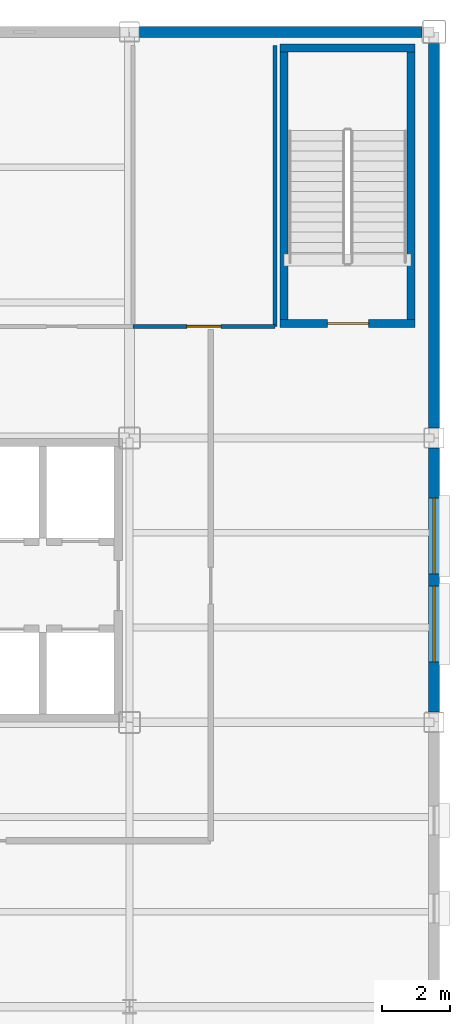
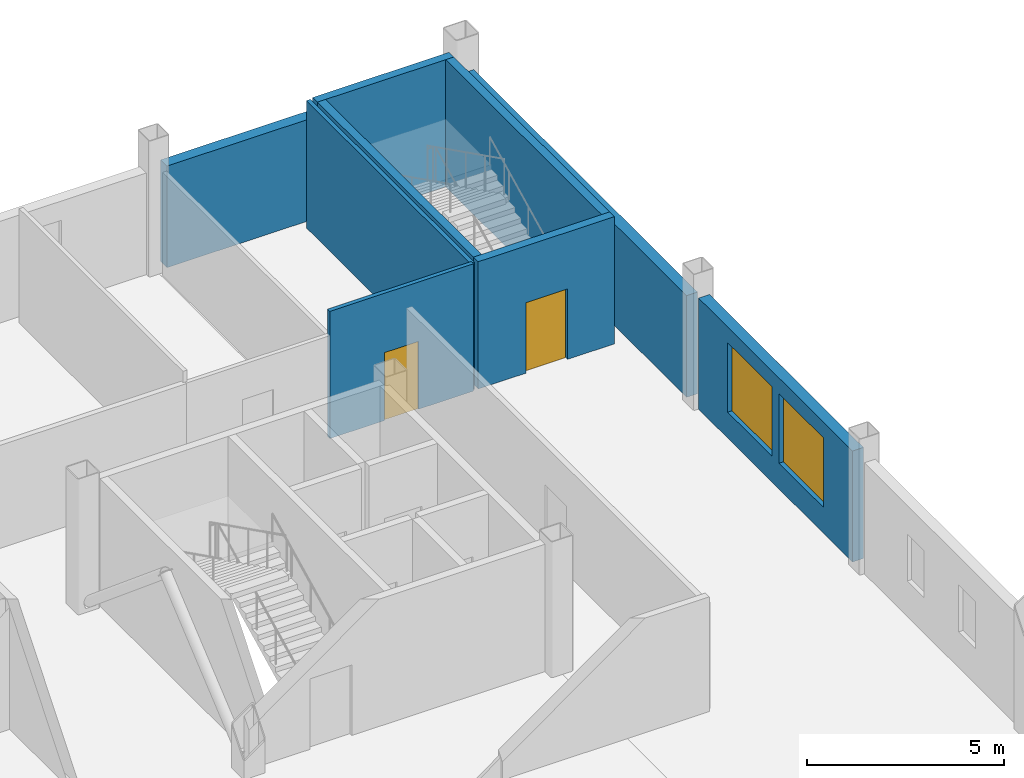
# One storey, part 40 of 45: 9 walls, 2 doors, 2 windows, 4 openings.
"""IFC4 building model written with IfcOpenShell, lengths in metres."""

import ifcopenshell
import ifcopenshell.guid

model = None  # the IFC model being written
_history = None  # IfcOwnerHistory: only IFC2X3 demands one
_inside = {}  # id of a spatial element -> (the spatial element, [elements in it])
_under = {}  # id of a project, library or spatial element -> (it, [spatial elements below it])
_declared = {}  # id of a project -> (the project, [libraries it declares])
_typed = {}  # id of a type object -> (the type object, [elements of that type])
_made_of = {}  # id of a material, layer set ... -> (it, [elements and type objects made of it])


def new_model(schema):
    """Start an empty IFC model of exactly this schema.

    Asked for "IFC4X3", IfcOpenShell would pick the latest addendum, in which some entities
    have other attributes; the version numbers below select the first issue.
    IFC2X3 requires an IfcOwnerHistory on every rooted entity: one is made here for all.
    """
    global model, _history
    if schema == "IFC4X3":
        model = ifcopenshell.file(schema_version=(4, 3, 0, 0))
    else:
        model = ifcopenshell.file(schema=schema)
    _inside.clear()
    _under.clear()
    _declared.clear()
    _typed.clear()
    _made_of.clear()
    _history = None
    if model.schema == "IFC2X3":
        org = make("IfcOrganization", Name="unknown")
        user = make(
            "IfcPersonAndOrganization",
            ThePerson=make("IfcPerson", FamilyName="unknown"),
            TheOrganization=org,
        )
        app = make(
            "IfcApplication",
            ApplicationDeveloper=org,
            Version="unknown",
            ApplicationFullName="unknown",
            ApplicationIdentifier="unknown",
        )
        _history = make(
            "IfcOwnerHistory",
            OwningUser=user,
            OwningApplication=app,
            ChangeAction="ADDED",
            CreationDate=0,
        )
    return model


def make(cls, **values):
    """One entity of the class cls with the attributes given. An attribute that is None is left unset."""
    return model.create_entity(
        cls, **{name: value for name, value in values.items() if value is not None}
    )


def rooted(cls, **values):
    """An entity with a GlobalId (a new one), such as an element, a storey or a relation."""
    return make(cls, GlobalId=ifcopenshell.guid.new(), OwnerHistory=_history, **values)


def si_unit(unit_type, name, prefix=None):
    """IfcSIUnit, for example si_unit("LENGTHUNIT", "METRE", prefix="MILLI")."""
    return make("IfcSIUnit", UnitType=unit_type, Prefix=prefix, Name=name)


def assignment(units):
    """IfcUnitAssignment: the units of a project."""
    return None if units is None else make("IfcUnitAssignment", Units=units)


def point(xyz):
    """IfcCartesianPoint."""
    return None if xyz is None else make("IfcCartesianPoint", Coordinates=xyz)


def direction(xyz):
    """IfcDirection."""
    return None if xyz is None else make("IfcDirection", DirectionRatios=xyz)


def frame(location, z_axis=None, x_axis=None):
    """IfcAxis2Placement3D, a coordinate frame: its origin and axes. An axis left out is left unset."""
    return make(
        "IfcAxis2Placement3D",
        Location=point(location),
        Axis=direction(z_axis),
        RefDirection=direction(x_axis),
    )


def frame_2d(location, x_axis=None):
    """IfcAxis2Placement2D, a coordinate frame in the plane: its origin and x axis."""
    return make(
        "IfcAxis2Placement2D", Location=point(location), RefDirection=direction(x_axis)
    )


def origin():
    """The frame at (0, 0, 0) with its axes left unset."""
    return frame((0.0, 0.0, 0.0))


def place(relative_to, where):
    """IfcLocalPlacement: puts the frame where relative to a parent placement (None: the world)."""
    return make(
        "IfcLocalPlacement", PlacementRelTo=relative_to, RelativePlacement=where
    )


def context(
    kind, dimensions, precision=None, world=None, true_north=None, identifier=None
):
    """IfcGeometricRepresentationContext, for example the 3D "Model" context."""
    return make(
        "IfcGeometricRepresentationContext",
        ContextIdentifier=identifier,
        ContextType=kind,
        CoordinateSpaceDimension=dimensions,
        Precision=precision,
        WorldCoordinateSystem=world,
        TrueNorth=true_north,
    )


def subcontext(parent, identifier, kind, view, scale=None):
    """IfcGeometricRepresentationSubContext, for example "Body" below "Model"."""
    return make(
        "IfcGeometricRepresentationSubContext",
        ContextIdentifier=identifier,
        ContextType=kind,
        ParentContext=parent,
        TargetScale=scale,
        TargetView=view,
    )


def project(units=None, contexts=None):
    """IfcProject with its units and contexts."""
    return rooted(
        "IfcProject",
        Name="project",
        RepresentationContexts=contexts,
        UnitsInContext=assignment(units),
    )


def spatial(cls, under=None, at=None, **own):
    """A site, building, storey or space (cls), placed at a placement, below another one or the project."""
    s = rooted(cls, ObjectPlacement=at, **own)
    if under is not None:
        _under.setdefault(under.id(), (under, []))[1].append(s)
    return s


def profile(cls, at=None, kind="AREA", **sizes):
    """A parametric profile (cls). Its sizes go by their IFC names, for example OverallWidth=200.0."""
    return make(cls, ProfileType=kind, Position=at, **sizes)


def rectangle(**sizes):
    """IfcRectangleProfileDef."""
    return profile("IfcRectangleProfileDef", **sizes)


def extrude(swept, where, along, depth):
    """IfcExtrudedAreaSolid: the profile swept, set in the frame where, extruded along a direction by depth."""
    return make(
        "IfcExtrudedAreaSolid",
        SweptArea=swept,
        Position=where,
        ExtrudedDirection=direction(along),
        Depth=depth,
    )


def shape(context_of_items, identifier, shape_type, items):
    """IfcShapeRepresentation: the items that make up one representation, for example the "Body"."""
    return make(
        "IfcShapeRepresentation",
        ContextOfItems=context_of_items,
        RepresentationIdentifier=identifier,
        RepresentationType=shape_type,
        Items=items,
    )


def material(Name=None, Category=None):
    """IfcMaterial."""
    return make("IfcMaterial", Name=Name, Category=Category)


def layer(
    of_material, thickness, ventilated=None, Name=None, Category=None, Priority=None
):
    """IfcMaterialLayer: one layer of a wall or slab, of a material (None: an air gap)."""
    return make(
        "IfcMaterialLayer",
        Material=of_material,
        LayerThickness=thickness,
        IsVentilated=ventilated,
        Name=Name,
        Category=Category,
        Priority=Priority,
    )


def layer_set(layers, Name=None):
    """IfcMaterialLayerSet."""
    return make("IfcMaterialLayerSet", MaterialLayers=layers, LayerSetName=Name)


def made_of(thing, what):
    """Note that an element or type object is made of a material, layer set ...; save() writes the relation."""
    if what is not None:
        _made_of.setdefault(what.id(), (what, []))[1].append(thing)
    return thing


def type_object(cls, material=None, **own):
    """A type object (cls), such as IfcWallType, which elements share."""
    return made_of(rooted(cls, **own), material)


def element(
    cls,
    number,
    at=None,
    inside=None,
    cuts=None,
    type_object=None,
    material=None,
    context=None,
    identifier="Body",
    shape_type=None,
    held_by="IfcProductDefinitionShape",
    body=None,
    shapes=None,
    **own,
):
    """One element of the class cls, such as IfcWall. Its Tag is "e" and its number.

    at: its placement. inside: the storey or other place that contains it. cuts: it is an
    opening in that element (IfcRelVoidsElement). A single representation is given by context,
    identifier, shape_type and body (its items); several are given by shapes. held_by: the class
    of the entity that holds the representations. save() writes the other relations.
    """
    e = rooted(cls, Tag="e%d" % number, ObjectPlacement=at, **own)
    if body is not None:
        shapes = [shape(context, identifier, shape_type, body)]
    if shapes is not None:
        e.Representation = make(held_by, Representations=shapes)
    if inside is not None:
        _inside.setdefault(inside.id(), (inside, []))[1].append(e)
    if cuts is not None:
        rooted(
            "IfcRelVoidsElement", RelatingBuildingElement=cuts, RelatedOpeningElement=e
        )
    if type_object is not None:
        _typed.setdefault(type_object.id(), (type_object, []))[1].append(e)
    return made_of(e, material)


def fill(opening, filler):
    """IfcRelFillsElement: the door or window that sits in an opening."""
    return rooted(
        "IfcRelFillsElement",
        RelatingOpeningElement=opening,
        RelatedBuildingElement=filler,
    )


def aggregate(whole, parts):
    """IfcRelAggregates: a whole, such as a stair, and the parts it consists of."""
    return rooted("IfcRelAggregates", RelatingObject=whole, RelatedObjects=parts)


def save(model, path):
    """Write the relations noted so far, then the file.

    IfcRelAggregates (storeys below a building ...), IfcRelContainedInSpatialStructure (elements
    in a storey), IfcRelDefinesByType, IfcRelAssociatesMaterial and IfcRelDeclares: one each for
    every whole, place, type object, material and project.
    """
    for whole, parts in _under.values():
        aggregate(whole, parts)
    for where, things in _inside.values():
        rooted(
            "IfcRelContainedInSpatialStructure",
            RelatedElements=things,
            RelatingStructure=where,
        )
    for kind, things in _typed.values():
        rooted("IfcRelDefinesByType", RelatedObjects=things, RelatingType=kind)
    for what, things in _made_of.values():
        rooted("IfcRelAssociatesMaterial", RelatedObjects=things, RelatingMaterial=what)
    for by, libraries in _declared.values():
        rooted("IfcRelDeclares", RelatingContext=by, RelatedDefinitions=libraries)
    model.write(path)


model = new_model("IFC4")

# Units and contexts
model_context = context("Model", 3, precision=1e-05, world=origin(), true_north=direction((0.0, 1.0)))
body_context = subcontext(model_context, "Body", "Model", "MODEL_VIEW")
ifc_project = project(units=[si_unit("LENGTHUNIT", "METRE"), si_unit("AREAUNIT", "SQUARE_METRE"), si_unit("VOLUMEUNIT", "CUBIC_METRE"), si_unit("PLANEANGLEUNIT", "RADIAN"), si_unit("MASSUNIT", "GRAM", prefix="KILO")], contexts=[model_context])

# Site, building, storey
site_placement = place(None, origin())
site = spatial("IfcSite", under=ifc_project, at=site_placement, CompositionType="ELEMENT")
building_placement = place(site_placement, origin())
building = spatial("IfcBuilding", under=site, at=building_placement, Name="Yukiwa Park Conservatory and Herbarium", CompositionType="ELEMENT")
storey_placement = place(building_placement, frame((0.0, 0.0, 9.0)))
storey = spatial("IfcBuildingStorey", under=building, at=storey_placement, Name="L02", CompositionType="ELEMENT", Elevation=9.0)

# Wall, opening, door
ifc_material_1 = material(Name="Concrete C50", Category="concrete")
ifc_layer_1 = layer(ifc_material_1, 0.239990234375)
ifc_layer_set_1 = layer_set([ifc_layer_1], Name="Concrete C50")
wall_type_1 = type_object("IfcWallType", Name="WL-CORE-RC240", PredefinedType="SHEAR", material=ifc_layer_set_1)
wall_1_placement = place(storey_placement, frame((163.449951171875, 106.580078125, 0.0), z_axis=(0.0, 0.0, 1.0), x_axis=(1.0, 0.0, 0.0)))
wall_1 = element("IfcWall", 1, at=wall_1_placement, inside=storey, type_object=wall_type_1, Name="L02 core shear wall 273", PredefinedType="SHEAR", context=body_context, shape_type="SweptSolid", body=[
    extrude(rectangle(XDim=3.989990234375, YDim=0.239990234375, at=frame_2d((1.9951171875, 0.0))), origin(), (0.0, 0.0, 1.0), 3.93505859375),
])
opening_1_placement = place(wall_1_placement, frame((1.39501953125, 0.0, 0.0)))
opening_1 = element("IfcOpeningElement", 2, at=opening_1_placement, cuts=wall_1, Name="Opening SD-01", PredefinedType="OPENING", context=body_context, shape_type="SweptSolid", body=[
    extrude(rectangle(XDim=1.219970703125, YDim=2.179931640625, at=frame_2d((0.60986328125, 1.08984375))), frame((0.0, 0.1298828125, 0.0), z_axis=(0.0, -1.0, 0.0), x_axis=(1.0, 0.0, 0.0)), (0.0, 0.0, 1.0), 0.260009765625),
])
ifc_material_2 = material(Name="Steel Q235B", Category="steel")
door_type_1 = type_object("IfcDoorType", Name="DR-STAIR-FD90-1200", OperationType="SINGLE_SWING_LEFT", PredefinedType="DOOR", material=ifc_material_2)
door_1_placement = place(opening_1_placement, origin())
door_1 = element("IfcDoor", 3, at=door_1_placement, inside=storey, type_object=door_type_1, Name="L02 Stairwell ST-T3 fire door", OperationType="SINGLE_SWING_LEFT", OverallHeight=2.179931640625, OverallWidth=1.219970703125, PredefinedType="DOOR", context=body_context, shape_type="SweptSolid", body=[
    extrude(rectangle(XDim=1.219970703125, YDim=2.179931640625, at=frame_2d((0.60986328125, 1.08984375))), frame((0.0, 0.02490234375, 0.0), z_axis=(0.0, -1.0, 0.0), x_axis=(1.0, 0.0, 0.0)), (0.0, 0.0, 1.0), 0.050048828125),
])
fill(opening_1, door_1)

# Walls
wall_2_placement = place(storey_placement, frame((163.449951171875, 114.719970703125, 0.0), z_axis=(0.0, 0.0, 1.0), x_axis=(1.0, 0.0, 0.0)))
element("IfcWall", 4, at=wall_2_placement, inside=storey, type_object=wall_type_1, Name="L02 core shear wall 274", PredefinedType="SHEAR", context=body_context, shape_type="SweptSolid", body=[
    extrude(rectangle(XDim=3.989990234375, YDim=0.239990234375, at=frame_2d((1.9951171875, 0.0))), origin(), (0.0, 0.0, 1.0), 3.93505859375),
])
for number, where, z_axis, x_axis, name in (
    (5, (163.570068359375, 106.699951171875, 0.0), (0.0, 0.0, 1.0), (0.0, 1.0, 0.0), "L02 core shear wall 275"),
    (6, (167.320068359375, 106.699951171875, 0.0), (0.0, 0.0, 1.0), (0.0, 1.0, 0.0), "L02 core shear wall 276"),
):
    element("IfcWall", number, at=place(storey_placement, frame(where, z_axis=z_axis, x_axis=x_axis)), inside=storey, type_object=wall_type_1, Name=name, PredefinedType="SHEAR", context=body_context, shape_type="SweptSolid", body=[
        extrude(rectangle(XDim=7.900146484375, YDim=0.239990234375, at=frame_2d((3.9501953125, 0.0))), origin(), (0.0, 0.0, 1.0), 3.93505859375),
    ])

# Wall, openings, windows
ifc_material_3 = material(Name="Pale Granite Cladding", Category="masonry")
ifc_layer_2 = layer(ifc_material_3, 0.320068359375)
ifc_layer_set_2 = layer_set([ifc_layer_2], Name="Pale Granite Cladding")
wall_type_2 = type_object("IfcWallType", Name="WL-EXT-GRAN-320", PredefinedType="SOLIDWALL", material=ifc_layer_set_2)
wall_3_placement = place(storey_placement, frame((168.0, 95.10009765625, 0.0), z_axis=(0.0, 0.0, 1.0), x_axis=(0.0, 1.0, 0.0)))
wall_3 = element("IfcWall", 7, at=wall_3_placement, inside=storey, type_object=wall_type_2, Name="L02 exterior envelope wall 216", PredefinedType="SOLIDWALL", context=body_context, shape_type="SweptSolid", body=[
    extrude(rectangle(XDim=7.7998046875, YDim=0.320068359375, at=frame_2d((3.89990234375, 0.0))), origin(), (0.0, 0.0, 1.0), 3.43505859375),
])
opening_2_placement = place(wall_3_placement, frame((1.47509765625, 0.0, 0.800048828125)))
opening_2 = element("IfcOpeningElement", 8, at=opening_2_placement, cuts=wall_3, Name="Opening W-26", PredefinedType="OPENING", context=body_context, shape_type="SweptSolid", body=[
    extrude(rectangle(XDim=2.25, YDim=2.14990234375, at=frame_2d((1.125, 1.074951171875))), frame((0.0, 0.169921875, 0.0), z_axis=(0.0, -1.0, 0.0), x_axis=(1.0, 0.0, 0.0)), (0.0, 0.0, 1.0), 0.340087890625),
])
opening_3_placement = place(wall_3_placement, frame((4.074951171875, 0.0, 0.800048828125)))
opening_3 = element("IfcOpeningElement", 9, at=opening_3_placement, cuts=wall_3, Name="Opening W-26", PredefinedType="OPENING", context=body_context, shape_type="SweptSolid", body=[
    extrude(rectangle(XDim=2.25, YDim=2.14990234375, at=frame_2d((1.125, 1.074951171875))), frame((0.0, 0.169921875, 0.0), z_axis=(0.0, -1.0, 0.0), x_axis=(1.0, 0.0, 0.0)), (0.0, 0.0, 1.0), 0.340087890625),
])
ifc_material_4 = material(Name="Triple Low-E Insulated Glass", Category="glass")
window_type = type_object("IfcWindowType", Name="WN-TW-2250X2150", PartitioningType="SINGLE_PANEL", PredefinedType="WINDOW", material=ifc_material_4)
window_1_placement = place(opening_2_placement, origin())
window_1 = element("IfcWindow", 10, at=window_1_placement, inside=storey, type_object=window_type, Name="L02 deep-reveal triple-glazed window 137", OverallHeight=2.14990234375, OverallWidth=2.25, PartitioningType="SINGLE_PANEL", PredefinedType="WINDOW", context=body_context, shape_type="SweptSolid", body=[
    extrude(rectangle(XDim=2.25, YDim=2.14990234375, at=frame_2d((1.125, 1.074951171875))), frame((0.0, 0.030029296875, 0.0), z_axis=(0.0, -1.0, 0.0), x_axis=(1.0, 0.0, 0.0)), (0.0, 0.0, 1.0), 0.06005859375),
])
fill(opening_2, window_1)
window_2_placement = place(opening_3_placement, origin())
window_2 = element("IfcWindow", 11, at=window_2_placement, inside=storey, type_object=window_type, Name="L02 deep-reveal triple-glazed window 138", OverallHeight=2.14990234375, OverallWidth=2.25, PartitioningType="SINGLE_PANEL", PredefinedType="WINDOW", context=body_context, shape_type="SweptSolid", body=[
    extrude(rectangle(XDim=2.25, YDim=2.14990234375, at=frame_2d((1.125, 1.074951171875))), frame((0.0, 0.030029296875, 0.0), z_axis=(0.0, -1.0, 0.0), x_axis=(1.0, 0.0, 0.0)), (0.0, 0.0, 1.0), 0.06005859375),
])
fill(opening_3, window_2)

# Walls
wall_4_placement = place(storey_placement, frame((168.0, 103.5, 0.0), z_axis=(0.0, 0.0, 1.0), x_axis=(0.0, 1.0, 0.0)))
element("IfcWall", 12, at=wall_4_placement, inside=storey, type_object=wall_type_2, Name="L02 exterior envelope wall 217", PredefinedType="SOLIDWALL", context=body_context, shape_type="SweptSolid", body=[
    extrude(rectangle(XDim=11.35009765625, YDim=0.320068359375, at=frame_2d((5.675048828125, 0.0))), origin(), (0.0, 0.0, 1.0), 3.14306640625),
])
wall_5_placement = place(storey_placement, frame((167.64990234375, 115.199951171875, 0.0), z_axis=(0.0, 0.0, 1.0), x_axis=(-1.0, 0.0, 0.0)))
element("IfcWall", 13, at=wall_5_placement, inside=storey, type_object=wall_type_2, Name="L02 exterior envelope wall 218", PredefinedType="SOLIDWALL", context=body_context, shape_type="SweptSolid", body=[
    extrude(rectangle(XDim=8.349853515625, YDim=0.320068359375, at=frame_2d((4.1748046875, 0.0))), origin(), (0.0, 0.0, 1.0), 3.14306640625),
])

# Wall, opening, door
ifc_material_5 = material(Name="Gypsum Board Partition", Category="gypsum")
ifc_layer_3 = layer(ifc_material_5, 0.1201171875)
ifc_layer_set_3 = layer_set([ifc_layer_3], Name="Gypsum Board Partition")
wall_type_3 = type_object("IfcWallType", Name="WL-PART-WET-150", PredefinedType="PARTITIONING", material=ifc_layer_set_3)
wall_6_placement = place(storey_placement, frame((159.10009765625, 106.5, 0.0), z_axis=(0.0, 0.0, 1.0), x_axis=(1.0, 0.0, 0.0)))
wall_6 = element("IfcWall", 14, at=wall_6_placement, inside=storey, type_object=wall_type_3, Name="L02 interior partition wall 296", PredefinedType="PARTITIONING", context=body_context, shape_type="SweptSolid", body=[
    extrude(rectangle(XDim=4.199951171875, YDim=0.1201171875, at=frame_2d((2.10009765625, 0.0))), origin(), (0.0, 0.0, 1.0), 3.93505859375),
])
opening_4_placement = place(wall_6_placement, frame((1.60009765625, 0.0, 0.0)))
opening_4 = element("IfcOpeningElement", 15, at=opening_4_placement, cuts=wall_6, Name="Opening ID-10", PredefinedType="OPENING", context=body_context, shape_type="SweptSolid", body=[
    extrude(rectangle(XDim=1.0, YDim=2.10009765625, at=frame_2d((0.5, 1.050048828125))), frame((0.0, 0.070068359375, 0.0), z_axis=(0.0, -1.0, 0.0), x_axis=(1.0, 0.0, 0.0)), (0.0, 0.0, 1.0), 0.14013671875),
])
ifc_material_6 = material(Name="Charred Larch Cladding", Category="wood")
door_type_2 = type_object("IfcDoorType", Name="DR-ACC-1000", OperationType="SINGLE_SWING_LEFT", PredefinedType="DOOR", material=ifc_material_6)
door_2_placement = place(opening_4_placement, origin())
door_2 = element("IfcDoor", 16, at=door_2_placement, inside=storey, type_object=door_type_2, Name="L02 Accessible WC door", OperationType="SINGLE_SWING_LEFT", OverallHeight=2.10009765625, OverallWidth=1.0, PredefinedType="DOOR", context=body_context, shape_type="SweptSolid", body=[
    extrude(rectangle(XDim=1.0, YDim=2.10009765625, at=frame_2d((0.5, 1.050048828125))), frame((0.0, 0.02490234375, 0.0), z_axis=(0.0, -1.0, 0.0), x_axis=(1.0, 0.0, 0.0)), (0.0, 0.0, 1.0), 0.050048828125),
])
fill(opening_4, door_2)

# Wall
wall_7_placement = place(storey_placement, frame((163.300048828125, 106.5, 0.0), z_axis=(0.0, 0.0, 1.0), x_axis=(0.0, 1.0, 0.0)))
element("IfcWall", 17, at=wall_7_placement, inside=storey, type_object=wall_type_3, Name="L02 interior partition wall 299", PredefinedType="PARTITIONING", context=body_context, shape_type="SweptSolid", body=[
    extrude(rectangle(XDim=8.300048828125, YDim=0.1201171875, at=frame_2d((4.14990234375, 0.0))), origin(), (0.0, 0.0, 1.0), 3.93505859375),
])

save(model, "model.ifc")
